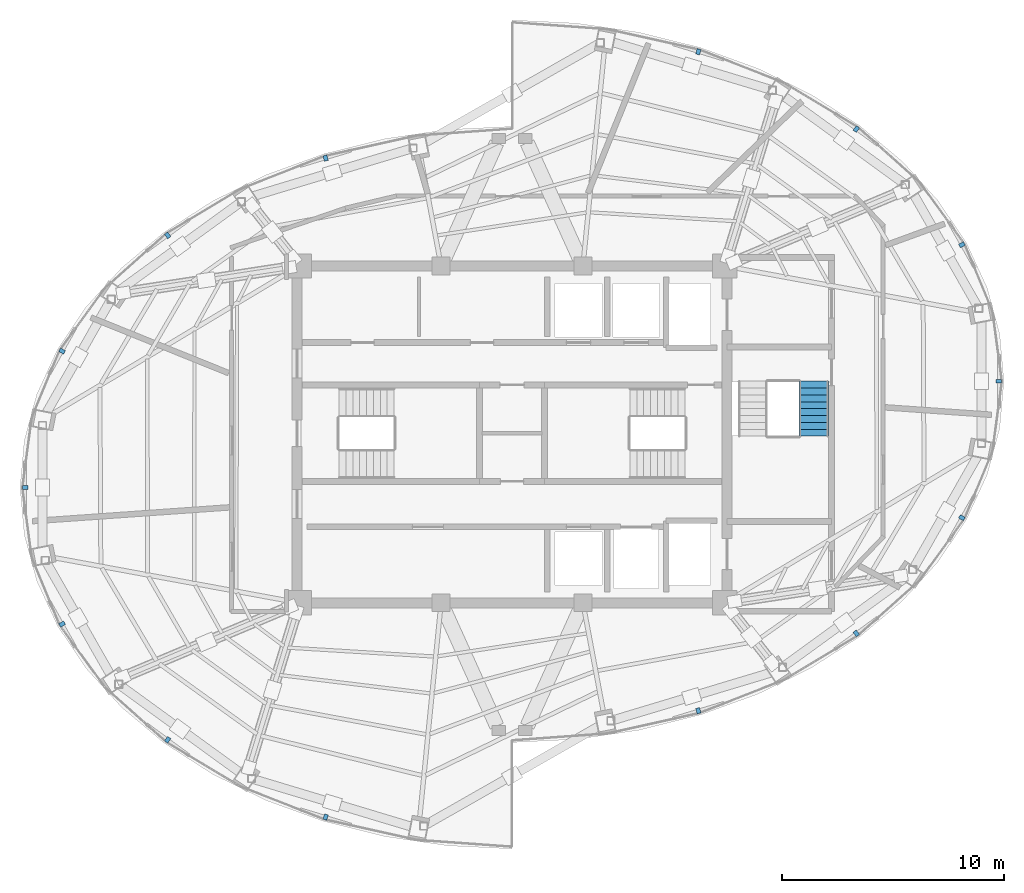
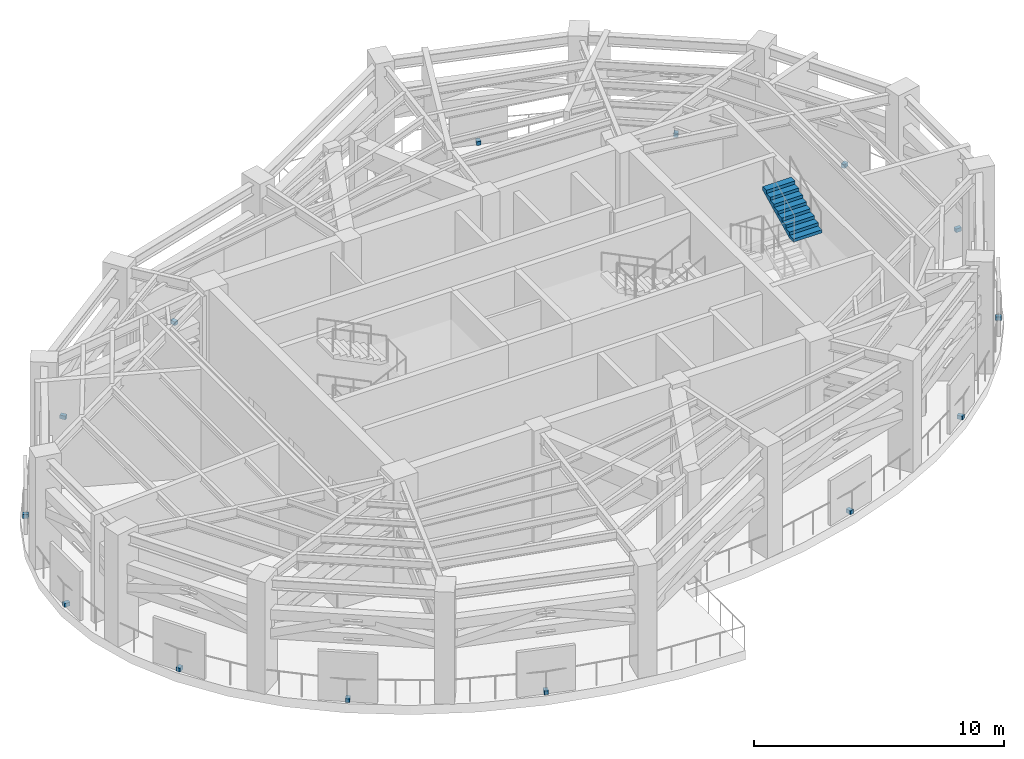
# One storey, part 9 of 12: 14 discrete accessories, 1 stair flight, 1 element without a shape of its own.
"""IFC4 building model written with IfcOpenShell, lengths in metres."""

import ifcopenshell
import ifcopenshell.guid

model = None  # the IFC model being written
_history = None  # IfcOwnerHistory: only IFC2X3 demands one
_inside = {}  # id of a spatial element -> (the spatial element, [elements in it])
_under = {}  # id of a project, library or spatial element -> (it, [spatial elements below it])
_declared = {}  # id of a project -> (the project, [libraries it declares])
_typed = {}  # id of a type object -> (the type object, [elements of that type])
_made_of = {}  # id of a material, layer set ... -> (it, [elements and type objects made of it])


def new_model(schema):
    """Start an empty IFC model of exactly this schema.

    Asked for "IFC4X3", IfcOpenShell would pick the latest addendum, in which some entities
    have other attributes; the version numbers below select the first issue.
    IFC2X3 requires an IfcOwnerHistory on every rooted entity: one is made here for all.
    """
    global model, _history
    if schema == "IFC4X3":
        model = ifcopenshell.file(schema_version=(4, 3, 0, 0))
    else:
        model = ifcopenshell.file(schema=schema)
    _inside.clear()
    _under.clear()
    _declared.clear()
    _typed.clear()
    _made_of.clear()
    _history = None
    if model.schema == "IFC2X3":
        org = make("IfcOrganization", Name="unknown")
        user = make(
            "IfcPersonAndOrganization",
            ThePerson=make("IfcPerson", FamilyName="unknown"),
            TheOrganization=org,
        )
        app = make(
            "IfcApplication",
            ApplicationDeveloper=org,
            Version="unknown",
            ApplicationFullName="unknown",
            ApplicationIdentifier="unknown",
        )
        _history = make(
            "IfcOwnerHistory",
            OwningUser=user,
            OwningApplication=app,
            ChangeAction="ADDED",
            CreationDate=0,
        )
    return model


def make(cls, **values):
    """One entity of the class cls with the attributes given. An attribute that is None is left unset."""
    return model.create_entity(
        cls, **{name: value for name, value in values.items() if value is not None}
    )


def rooted(cls, **values):
    """An entity with a GlobalId (a new one), such as an element, a storey or a relation."""
    return make(cls, GlobalId=ifcopenshell.guid.new(), OwnerHistory=_history, **values)


def si_unit(unit_type, name, prefix=None):
    """IfcSIUnit, for example si_unit("LENGTHUNIT", "METRE", prefix="MILLI")."""
    return make("IfcSIUnit", UnitType=unit_type, Prefix=prefix, Name=name)


def assignment(units):
    """IfcUnitAssignment: the units of a project."""
    return None if units is None else make("IfcUnitAssignment", Units=units)


def point(xyz):
    """IfcCartesianPoint."""
    return None if xyz is None else make("IfcCartesianPoint", Coordinates=xyz)


def direction(xyz):
    """IfcDirection."""
    return None if xyz is None else make("IfcDirection", DirectionRatios=xyz)


def frame(location, z_axis=None, x_axis=None):
    """IfcAxis2Placement3D, a coordinate frame: its origin and axes. An axis left out is left unset."""
    return make(
        "IfcAxis2Placement3D",
        Location=point(location),
        Axis=direction(z_axis),
        RefDirection=direction(x_axis),
    )


def frame_2d(location, x_axis=None):
    """IfcAxis2Placement2D, a coordinate frame in the plane: its origin and x axis."""
    return make(
        "IfcAxis2Placement2D", Location=point(location), RefDirection=direction(x_axis)
    )


def origin():
    """The frame at (0, 0, 0) with its axes left unset."""
    return frame((0.0, 0.0, 0.0))


def origin_2d():
    """The frame at (0, 0) in the plane with its x axis left unset."""
    return frame_2d((0.0, 0.0))


def place(relative_to, where):
    """IfcLocalPlacement: puts the frame where relative to a parent placement (None: the world)."""
    return make(
        "IfcLocalPlacement", PlacementRelTo=relative_to, RelativePlacement=where
    )


def context(
    kind, dimensions, precision=None, world=None, true_north=None, identifier=None
):
    """IfcGeometricRepresentationContext, for example the 3D "Model" context."""
    return make(
        "IfcGeometricRepresentationContext",
        ContextIdentifier=identifier,
        ContextType=kind,
        CoordinateSpaceDimension=dimensions,
        Precision=precision,
        WorldCoordinateSystem=world,
        TrueNorth=true_north,
    )


def subcontext(parent, identifier, kind, view, scale=None):
    """IfcGeometricRepresentationSubContext, for example "Body" below "Model"."""
    return make(
        "IfcGeometricRepresentationSubContext",
        ContextIdentifier=identifier,
        ContextType=kind,
        ParentContext=parent,
        TargetScale=scale,
        TargetView=view,
    )


def project(units=None, contexts=None):
    """IfcProject with its units and contexts."""
    return rooted(
        "IfcProject",
        Name="project",
        RepresentationContexts=contexts,
        UnitsInContext=assignment(units),
    )


def spatial(cls, under=None, at=None, **own):
    """A site, building, storey or space (cls), placed at a placement, below another one or the project."""
    s = rooted(cls, ObjectPlacement=at, **own)
    if under is not None:
        _under.setdefault(under.id(), (under, []))[1].append(s)
    return s


def polyline(points):
    """IfcPolyline through the points."""
    return make("IfcPolyline", Points=[point(p) for p in points])


def profile(cls, at=None, kind="AREA", **sizes):
    """A parametric profile (cls). Its sizes go by their IFC names, for example OverallWidth=200.0."""
    return make(cls, ProfileType=kind, Position=at, **sizes)


def rectangle(**sizes):
    """IfcRectangleProfileDef."""
    return profile("IfcRectangleProfileDef", **sizes)


def outline(outer, holes=None, kind="AREA"):
    """IfcArbitraryClosedProfileDef: a profile drawn as a closed curve; with holes, ...WithVoids."""
    if holes is None:
        return make("IfcArbitraryClosedProfileDef", ProfileType=kind, OuterCurve=outer)
    return make(
        "IfcArbitraryProfileDefWithVoids",
        ProfileType=kind,
        OuterCurve=outer,
        InnerCurves=holes,
    )


def extrude(swept, where, along, depth):
    """IfcExtrudedAreaSolid: the profile swept, set in the frame where, extruded along a direction by depth."""
    return make(
        "IfcExtrudedAreaSolid",
        SweptArea=swept,
        Position=where,
        ExtrudedDirection=direction(along),
        Depth=depth,
    )


def shape(context_of_items, identifier, shape_type, items):
    """IfcShapeRepresentation: the items that make up one representation, for example the "Body"."""
    return make(
        "IfcShapeRepresentation",
        ContextOfItems=context_of_items,
        RepresentationIdentifier=identifier,
        RepresentationType=shape_type,
        Items=items,
    )


def material(Name=None, Category=None):
    """IfcMaterial."""
    return make("IfcMaterial", Name=Name, Category=Category)


def made_of(thing, what):
    """Note that an element or type object is made of a material, layer set ...; save() writes the relation."""
    if what is not None:
        _made_of.setdefault(what.id(), (what, []))[1].append(thing)
    return thing


def type_object(cls, material=None, **own):
    """A type object (cls), such as IfcWallType, which elements share."""
    return made_of(rooted(cls, **own), material)


def element(
    cls,
    number,
    at=None,
    inside=None,
    cuts=None,
    type_object=None,
    material=None,
    context=None,
    identifier="Body",
    shape_type=None,
    held_by="IfcProductDefinitionShape",
    body=None,
    shapes=None,
    **own,
):
    """One element of the class cls, such as IfcWall. Its Tag is "e" and its number.

    at: its placement. inside: the storey or other place that contains it. cuts: it is an
    opening in that element (IfcRelVoidsElement). A single representation is given by context,
    identifier, shape_type and body (its items); several are given by shapes. held_by: the class
    of the entity that holds the representations. save() writes the other relations.
    """
    e = rooted(cls, Tag="e%d" % number, ObjectPlacement=at, **own)
    if body is not None:
        shapes = [shape(context, identifier, shape_type, body)]
    if shapes is not None:
        e.Representation = make(held_by, Representations=shapes)
    if inside is not None:
        _inside.setdefault(inside.id(), (inside, []))[1].append(e)
    if cuts is not None:
        rooted(
            "IfcRelVoidsElement", RelatingBuildingElement=cuts, RelatedOpeningElement=e
        )
    if type_object is not None:
        _typed.setdefault(type_object.id(), (type_object, []))[1].append(e)
    return made_of(e, material)


def aggregate(whole, parts):
    """IfcRelAggregates: a whole, such as a stair, and the parts it consists of."""
    return rooted("IfcRelAggregates", RelatingObject=whole, RelatedObjects=parts)


def save(model, path):
    """Write the relations noted so far, then the file.

    IfcRelAggregates (storeys below a building ...), IfcRelContainedInSpatialStructure (elements
    in a storey), IfcRelDefinesByType, IfcRelAssociatesMaterial and IfcRelDeclares: one each for
    every whole, place, type object, material and project.
    """
    for whole, parts in _under.values():
        aggregate(whole, parts)
    for where, things in _inside.values():
        rooted(
            "IfcRelContainedInSpatialStructure",
            RelatedElements=things,
            RelatingStructure=where,
        )
    for kind, things in _typed.values():
        rooted("IfcRelDefinesByType", RelatedObjects=things, RelatingType=kind)
    for what, things in _made_of.values():
        rooted("IfcRelAssociatesMaterial", RelatedObjects=things, RelatingMaterial=what)
    for by, libraries in _declared.values():
        rooted("IfcRelDeclares", RelatingContext=by, RelatedDefinitions=libraries)
    model.write(path)


model = new_model("IFC4")

# Units and contexts
model_context = context("Model", 3, precision=1e-05, world=origin(), true_north=direction((0.0, 1.0)))
body_context = subcontext(model_context, "Body", "Model", "MODEL_VIEW")
ifc_project = project(units=[si_unit("LENGTHUNIT", "METRE"), si_unit("AREAUNIT", "SQUARE_METRE"), si_unit("VOLUMEUNIT", "CUBIC_METRE"), si_unit("PLANEANGLEUNIT", "RADIAN"), si_unit("MASSUNIT", "GRAM", prefix="KILO")], contexts=[model_context])

# Site, building, storey
site_placement = place(None, origin())
site = spatial("IfcSite", under=ifc_project, at=site_placement, CompositionType="ELEMENT")
building_placement = place(site_placement, origin())
building = spatial("IfcBuilding", under=site, at=building_placement, Name="Lazwardi Medical Tower", CompositionType="ELEMENT")
storey_placement = place(building_placement, frame((0.0, 0.0, 245.904052734375)))
storey = spatial("IfcBuildingStorey", under=building, at=storey_placement, Name="L64", CompositionType="ELEMENT", Elevation=245.904052734375)

# Stair, stair flight
ifc_material_1 = material(Name="Concrete C45/55", Category="concrete")
stair_type = type_object("IfcStairType", Name="STR-REF", PredefinedType="HALF_TURN_STAIR", material=ifc_material_1)
stair_placement = place(storey_placement, origin())
stair = element("IfcStair", 1, at=stair_placement, inside=storey, type_object=stair_type, Name="L64 Protected Exit Stair ST3", PredefinedType="HALF_TURN_STAIR")
stair_flight_type = type_object("IfcStairFlightType", Name="FLT-REF", PredefinedType="STRAIGHT", material=ifc_material_1)
stair_flight_placement = place(storey_placement, frame((49.6201171875, 27.919921875, 4.10400390625), z_axis=(0.0, 0.0, 1.0), x_axis=(0.0, 1.0, 0.0)))
stair_flight = element("IfcStairFlight", 2, at=stair_flight_placement, type_object=stair_flight_type, Name="ST3 flight 4", NumberOfRisers=9, NumberOfTreads=8, PredefinedType="STRAIGHT", RiserHeight=0.152, TreadLength=0.31, context=body_context, shape_type="SweptSolid", body=[
    extrude(outline(polyline([(0.0, 0.0), (0.0, 0.152099609375), (0.31005859375, 0.152099609375), (0.31005859375, 0.303955078125), (0.6201171875, 0.303955078125), (0.6201171875, 0.4560546875), (0.929931640625, 0.4560546875), (0.929931640625, 0.60791015625), (1.239990234375, 0.60791015625), (1.239990234375, 0.760009765625), (1.550048828125, 0.760009765625), (1.550048828125, 0.912109375), (1.860107421875, 0.912109375), (1.860107421875, 1.06396484375), (2.169921875, 1.06396484375), (2.169921875, 1.216064453125), (2.47998046875, 1.216064453125), (2.47998046875, 1.367919921875), (2.47998046875, 1.049072265625), (0.340576171875, 0.0), (0.0, 0.0)])), frame((0.0, 0.66015625, 0.0), z_axis=(0.0, -1.0, 0.0), x_axis=(1.0, 0.0, 0.0)), (0.0, 0.0, 1.0), 1.320068359375),
])
aggregate(stair, [stair_flight])

# Discrete accessories
ifc_material_2 = material(Name="Steel S355", Category="steel")
discrete_accessory_type = type_object("IfcDiscreteAccessoryType", Name="ACC-BRK-01", PredefinedType="BRACKET", material=ifc_material_2)
for number, where, z_axis, x_axis, name in (
    (3, (44.408203125, 15.534423828125, 0.0), (0.0, 0.0, 1.0), (0.956938815792, 0.290289687778, 0.0), "L64 Facade Screen Bracket 01"),
    (4, (51.53662109375, 19.0224609375, 0.0), (0.0, 0.0, 1.0), (0.806793290072, 0.590833806662, 0.0), "L64 Facade Screen Bracket 02"),
    (5, (56.299560546875, 24.24267578125, 0.0), (0.0, 0.0, 1.0), (0.492324818213, 0.87041155402, 0.0), "L64 Facade Screen Bracket 03"),
    (6, (57.97216796875, 30.39990234375, 0.0), (0.0, 0.0, 1.0), (0.0, 1.0, 0.0), "L64 Facade Screen Bracket 04"),
    (7, (56.299560546875, 36.5576171875, 0.0), (0.0, 0.0, 1.0), (-0.492324818213, 0.87041155402, 0.0), "L64 Facade Screen Bracket 05"),
    (8, (51.53662109375, 41.777587890625, 0.0), (0.0, 0.0, 1.0), (-0.806793290072, 0.590833806662, 0.0), "L64 Facade Screen Bracket 06"),
    (9, (44.408203125, 45.265380859375, 0.0), (0.0, 0.0, 1.0), (-0.956938815792, 0.290289687778, 0.0), "L64 Facade Screen Bracket 07"),
    (10, (27.591796875, 40.465576171875, 0.0), (0.0, 0.0, 1.0), (-0.956938815792, -0.290289687778, 0.0), "L64 Facade Screen Bracket 09"),
    (11, (20.46337890625, 36.9775390625, 0.0), (0.0, 0.0, 1.0), (-0.806793290072, -0.590833806662, 0.0), "L64 Facade Screen Bracket 10"),
    (12, (15.700439453125, 31.75732421875, 0.0), (0.0, 0.0, 1.0), (-0.492324818213, -0.87041155402, 0.0), "L64 Facade Screen Bracket 11"),
    (13, (14.02783203125, 25.60009765625, 0.0), (0.0, 0.0, 1.0), (0.0, -1.0, 0.0), "L64 Facade Screen Bracket 12"),
    (14, (15.700439453125, 19.442626953125, 0.0), (0.0, 0.0, 1.0), (0.492324818213, -0.87041155402, 0.0), "L64 Facade Screen Bracket 13"),
    (15, (20.46337890625, 14.222412109375, 0.0), (0.0, 0.0, 1.0), (0.806793290072, -0.590833806662, 0.0), "L64 Facade Screen Bracket 14"),
    (16, (27.591796875, 10.734619140625, 0.0), (0.0, 0.0, 1.0), (0.956938815792, -0.290289687778, 0.0), "L64 Facade Screen Bracket 15"),
):
    element("IfcDiscreteAccessory", number, at=place(storey_placement, frame(where, z_axis=z_axis, x_axis=x_axis)), inside=storey, type_object=discrete_accessory_type, Name=name, PredefinedType="BRACKET", context=body_context, shape_type="SweptSolid", body=[
        extrude(rectangle(XDim=0.179931640625, YDim=0.25, at=origin_2d()), origin(), (0.0, 0.0, 1.0), 0.179931640625),
    ])

save(model, "model.ifc")
